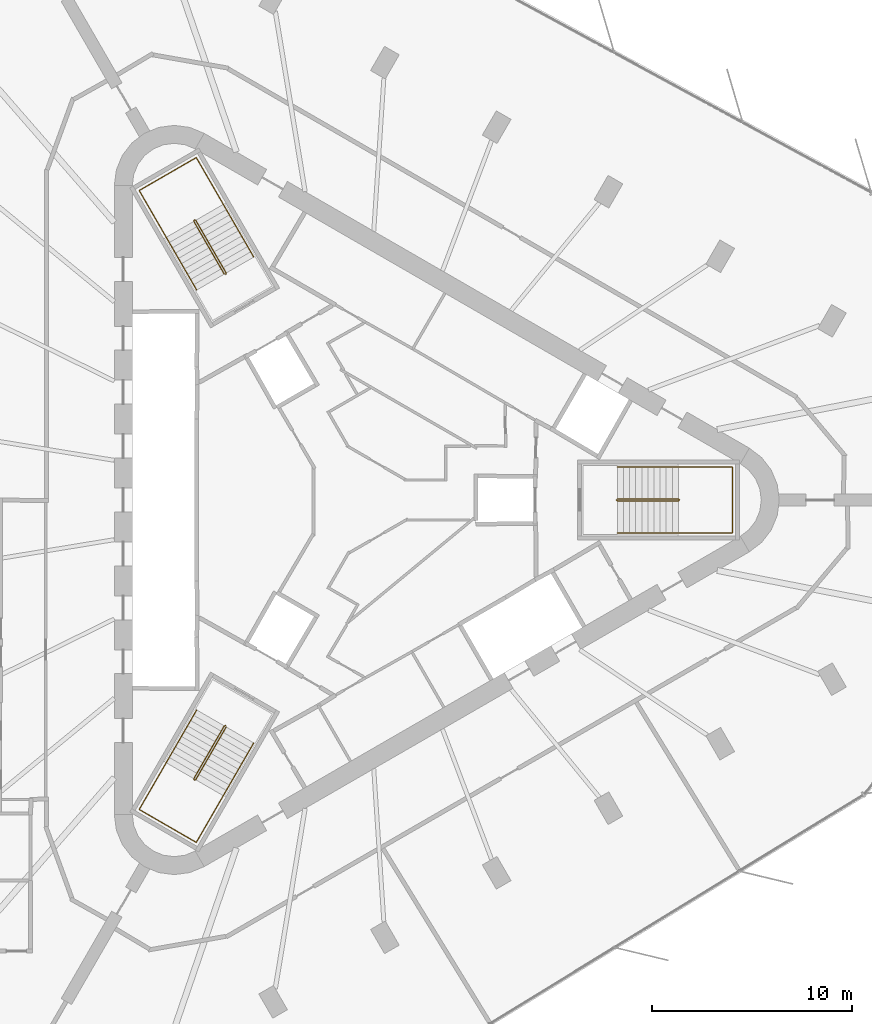
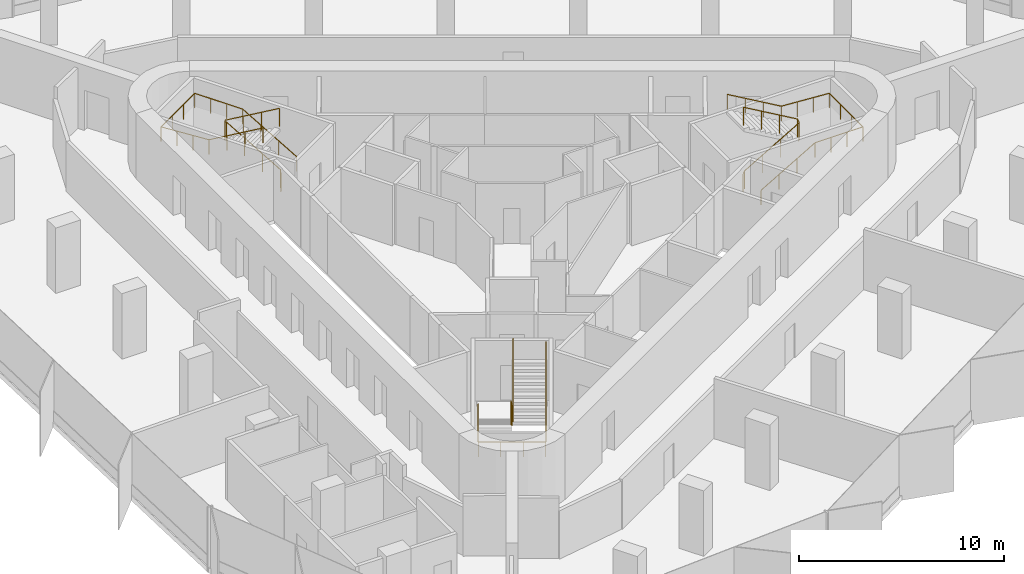
# One storey, part 12 of 12: 6 railings.
"""IFC4 building model written with IfcOpenShell, lengths in metres."""

from ifc_helpers import new_model, si_unit, direction, frame, origin, origin_2d, place, context, subcontext, project, spatial, circle, extrude, material, type_object, element, save


model = new_model("IFC4")

# Units and contexts
model_context = context("Model", 3, precision=1e-05, world=origin(), true_north=direction((0.0, 1.0)))
body_context = subcontext(model_context, "Body", "Model", "MODEL_VIEW")
ifc_project = project(units=[si_unit("LENGTHUNIT", "METRE"), si_unit("AREAUNIT", "SQUARE_METRE"), si_unit("VOLUMEUNIT", "CUBIC_METRE"), si_unit("PLANEANGLEUNIT", "RADIAN"), si_unit("MASSUNIT", "GRAM", prefix="KILO")], contexts=[model_context])

# Site, building, storey
site_placement = place(None, origin())
site = spatial("IfcSite", under=ifc_project, at=site_placement, CompositionType="ELEMENT")
building_placement = place(site_placement, origin())
building = spatial("IfcBuilding", under=site, at=building_placement, Name="Tanit Gate Tower", CompositionType="ELEMENT")
storey_placement = place(building_placement, frame((0.0, 0.0, 353.300048828125)))
storey = spatial("IfcBuildingStorey", under=building, at=storey_placement, Name="L80", CompositionType="ELEMENT", Elevation=353.300048828125)

# Railings
ifc_material_1 = material(Name="Stainless steel balustrade", Category="steel")
railing_type_1 = type_object("IfcRailingType", Name="INT-STAIR-GUARD", PredefinedType="GUARDRAIL", material=ifc_material_1)
railing_1_placement = place(storey_placement, frame((13.044921875, 0.0048828125, 0.0)))
element("IfcRailing", 1, at=railing_1_placement, inside=storey, type_object=railing_type_1, Name="L80 S1 stair guard 1", PredefinedType="GUARDRAIL", context=body_context, shape_type="SweptSolid", body=[
    extrude(circle(Radius=0.02392578125, at=origin_2d()), frame((0.0, 0.0, 1.076171875), z_axis=(0.0, -1.0, 0.0), x_axis=(1.0, 0.0, 0.0)), (0.0, 0.0, 1.0), 0.009765625),
    extrude(circle(Radius=0.02392578125, at=origin_2d()), frame((0.0, -0.009765625, 1.076171875), z_axis=(0.262233686654, -0.262233686654, 0.928691007369), x_axis=(0.707106781187, 0.707106781187, 0.0)), (0.0, 0.0, 1.0), 0.19091796875),
    extrude(circle(Radius=0.02392578125, at=origin_2d()), frame((0.050048828125, -0.059814453125, 1.25341796875), z_axis=(0.864648382064, 0.0, 0.502377522779), x_axis=(0.0, 1.0, 0.0)), (0.0, 0.0, 1.0), 3.528564453125),
    extrude(circle(Radius=0.02392578125, at=origin_2d()), frame((3.10107421875, -0.059814453125, 3.02587890625), z_axis=(0.707106781187, 0.707106781187, 0.0), x_axis=(-0.707106781187, 0.707106781187, 0.0)), (0.0, 0.0, 1.0), 0.07080078125),
    extrude(circle(Radius=0.02392578125, at=origin_2d()), frame((3.151123046875, -0.009765625, 3.02587890625), z_axis=(0.0, 1.0, 0.0), x_axis=(-1.0, 0.0, 0.0)), (0.0, 0.0, 1.0), 0.009765625),
    extrude(circle(Radius=0.02392578125, at=origin_2d()), frame((3.151123046875, 0.0, 3.02587890625), z_axis=(-0.262233686654, 0.262233686654, 0.928691007369), x_axis=(-0.707106781187, -0.707106781187, 0.0)), (0.0, 0.0, 1.0), 0.19091796875),
    extrude(circle(Radius=0.02392578125, at=origin_2d()), frame((3.10107421875, 0.050048828125, 3.203125), z_axis=(-0.864648382064, 0.0, 0.502377522779), x_axis=(0.0, -1.0, 0.0)), (0.0, 0.0, 1.0), 3.528564453125),
    extrude(circle(Radius=0.02099609375, at=origin_2d()), origin(), (0.0, 0.0, 1.0), 1.052001953125),
    extrude(circle(Radius=0.02099609375, at=origin_2d()), frame((0.0, -0.009765625, 0.0)), (0.0, 0.0, 1.0), 1.052001953125),
    extrude(circle(Radius=0.02099609375, at=origin_2d()), frame((0.050048828125, -0.059814453125, 0.17724609375)), (0.0, 0.0, 1.0), 1.052001953125),
    extrude(circle(Radius=0.02099609375, at=origin_2d()), frame((1.067138671875, -0.059814453125, 0.76806640625)), (0.0, 0.0, 1.0), 1.052001953125),
    extrude(circle(Radius=0.02099609375, at=origin_2d()), frame((2.083984375, -0.059814453125, 1.359130859375)), (0.0, 0.0, 1.0), 1.052001953125),
    extrude(circle(Radius=0.02099609375, at=origin_2d()), frame((3.10107421875, -0.059814453125, 1.949951171875)), (0.0, 0.0, 1.0), 1.052001953125),
    extrude(circle(Radius=0.02099609375, at=origin_2d()), frame((3.151123046875, -0.009765625, 1.949951171875)), (0.0, 0.0, 1.0), 1.052001953125),
    extrude(circle(Radius=0.02099609375, at=origin_2d()), frame((3.151123046875, 0.0, 1.949951171875)), (0.0, 0.0, 1.0), 1.052001953125),
    extrude(circle(Radius=0.02099609375, at=origin_2d()), frame((3.10107421875, 0.050048828125, 2.127197265625)), (0.0, 0.0, 1.0), 1.052001953125),
    extrude(circle(Radius=0.02099609375, at=origin_2d()), frame((2.083984375, 0.050048828125, 2.718017578125)), (0.0, 0.0, 1.0), 1.052001953125),
    extrude(circle(Radius=0.02099609375, at=origin_2d()), frame((1.067138671875, 0.050048828125, 3.30908203125)), (0.0, 0.0, 1.0), 1.052001953125),
    extrude(circle(Radius=0.02099609375, at=origin_2d()), frame((0.050048828125, 0.050048828125, 3.89990234375)), (0.0, 0.0, 1.0), 1.052001953125),
])
railing_2_placement = place(storey_placement, frame((-6.527099609375, 11.29345703125, 0.0)))
element("IfcRailing", 2, at=railing_2_placement, inside=storey, type_object=railing_type_1, Name="L80 S2 stair guard 1", PredefinedType="GUARDRAIL", context=body_context, shape_type="SweptSolid", body=[
    extrude(circle(Radius=0.02392578125, at=origin_2d()), frame((0.0, 0.0, 1.076171875), z_axis=(0.868243142124, 0.496138938357, 0.0), x_axis=(-0.496138938357, 0.868243142124, 0.0)), (0.0, 0.0, 1.0), 0.01171875),
    extrude(circle(Radius=0.02392578125, at=origin_2d()), frame((0.01025390625, 0.005859375, 1.076171875), z_axis=(0.095941116058, 0.358180166617, 0.928710003441), x_axis=(-0.965948051503, 0.258736085224, 0.0)), (0.0, 0.0, 1.0), 0.19091796875),
    extrude(circle(Radius=0.02392578125, at=origin_2d()), frame((0.028564453125, 0.07421875, 1.25341796875), z_axis=(-0.4322777601, 0.748681545756, 0.50260509465), x_axis=(-0.866012246495, -0.500022788402, 0.0)), (0.0, 0.0, 1.0), 3.527099609375),
    extrude(circle(Radius=0.02392578125, at=origin_2d()), frame((-1.49609375, 2.71484375, 3.02587890625), z_axis=(-0.965715946433, 0.259601060869, 0.0), x_axis=(-0.259601060869, -0.965715946433, 0.0)), (0.0, 0.0, 1.0), 0.070556640625),
    extrude(circle(Radius=0.02392578125, at=origin_2d()), frame((-1.564208984375, 2.733154296875, 3.02587890625), z_axis=(-0.873197702015, -0.487366159264, 0.0), x_axis=(0.487366159264, -0.873197702015, 0.0)), (0.0, 0.0, 1.0), 0.011962890625),
    extrude(circle(Radius=0.02392578125, at=origin_2d()), frame((-1.57470703125, 2.727294921875, 3.02587890625), z_axis=(-0.095941116058, -0.358180166617, 0.928710003441), x_axis=(0.965948051503, -0.258736085224, 0.0)), (0.0, 0.0, 1.0), 0.19091796875),
    extrude(circle(Radius=0.02392578125, at=origin_2d()), frame((-1.593017578125, 2.658935546875, 3.203125), z_axis=(0.4322777601, -0.748681545756, 0.50260509465), x_axis=(0.866012246495, 0.500022788402, 0.0)), (0.0, 0.0, 1.0), 3.527099609375),
    extrude(circle(Radius=0.02099609375, at=origin_2d()), origin(), (0.0, 0.0, 1.0), 1.052001953125),
    extrude(circle(Radius=0.02099609375, at=origin_2d()), frame((0.01025390625, 0.005859375, 0.0)), (0.0, 0.0, 1.0), 1.052001953125),
    extrude(circle(Radius=0.02099609375, at=origin_2d()), frame((0.028564453125, 0.07421875, 0.17724609375)), (0.0, 0.0, 1.0), 1.052001953125),
    extrude(circle(Radius=0.02099609375, at=origin_2d()), frame((-0.479736328125, 0.954345703125, 0.76806640625)), (0.0, 0.0, 1.0), 1.052001953125),
    extrude(circle(Radius=0.02099609375, at=origin_2d()), frame((-0.98779296875, 1.834716796875, 1.359130859375)), (0.0, 0.0, 1.0), 1.052001953125),
    extrude(circle(Radius=0.02099609375, at=origin_2d()), frame((-1.49609375, 2.71484375, 1.949951171875)), (0.0, 0.0, 1.0), 1.052001953125),
    extrude(circle(Radius=0.02099609375, at=origin_2d()), frame((-1.564208984375, 2.733154296875, 1.949951171875)), (0.0, 0.0, 1.0), 1.052001953125),
    extrude(circle(Radius=0.02099609375, at=origin_2d()), frame((-1.57470703125, 2.727294921875, 1.949951171875)), (0.0, 0.0, 1.0), 1.052001953125),
    extrude(circle(Radius=0.02099609375, at=origin_2d()), frame((-1.593017578125, 2.658935546875, 2.127197265625)), (0.0, 0.0, 1.0), 1.052001953125),
    extrude(circle(Radius=0.02099609375, at=origin_2d()), frame((-1.084716796875, 1.77880859375, 2.718017578125)), (0.0, 0.0, 1.0), 1.052001953125),
    extrude(circle(Radius=0.02099609375, at=origin_2d()), frame((-0.57666015625, 0.8984375, 3.30908203125)), (0.0, 0.0, 1.0), 1.052001953125),
    extrude(circle(Radius=0.02099609375, at=origin_2d()), frame((-0.068359375, 0.018310546875, 3.89990234375)), (0.0, 0.0, 1.0), 1.052001953125),
])
railing_3_placement = place(storey_placement, frame((-6.51806640625, -11.2998046875, 0.0)))
element("IfcRailing", 3, at=railing_3_placement, inside=storey, type_object=railing_type_1, Name="L80 S3 stair guard 1", PredefinedType="GUARDRAIL", context=body_context, shape_type="SweptSolid", body=[
    extrude(circle(Radius=0.02392578125, at=origin_2d()), frame((0.0, 0.0, 1.076171875), z_axis=(-0.874157276122, 0.485642931179, 0.0), x_axis=(-0.485642931179, -0.874157276122, 0.0)), (0.0, 0.0, 1.0), 0.010009765625),
    extrude(circle(Radius=0.02392578125, at=origin_2d()), frame((-0.0087890625, 0.0048828125, 1.076171875), z_axis=(-0.358223840744, -0.094673443625, 0.928823244215), x_axis=(0.255512919477, -0.966805641264, 0.0)), (0.0, 0.0, 1.0), 0.19091796875),
    extrude(circle(Radius=0.02392578125, at=origin_2d()), frame((-0.0771484375, -0.01318359375, 1.25341796875), z_axis=(-0.432289778901, -0.748827189027, 0.502377734411), x_axis=(0.866048339477, -0.499960272111, 0.0)), (0.0, 0.0, 1.0), 3.528564453125),
    extrude(circle(Radius=0.02392578125, at=origin_2d()), frame((-1.6025390625, -2.655517578125, 3.02587890625), z_axis=(0.258736085224, -0.965948051503, 0.0), x_axis=(0.965948051503, 0.258736085224, 0.0)), (0.0, 0.0, 1.0), 0.07080078125),
    extrude(circle(Radius=0.02392578125, at=origin_2d()), frame((-1.584228515625, -2.723876953125, 3.02587890625), z_axis=(0.868243142124, -0.496138938357, 0.0), x_axis=(0.496138938357, 0.868243142124, 0.0)), (0.0, 0.0, 1.0), 0.009765625),
    extrude(circle(Radius=0.02392578125, at=origin_2d()), frame((-1.57568359375, -2.728759765625, 3.02587890625), z_axis=(0.358180166617, 0.095941116058, 0.928710003441), x_axis=(-0.258736085224, 0.965948051503, 0.0)), (0.0, 0.0, 1.0), 0.19091796875),
    extrude(circle(Radius=0.02392578125, at=origin_2d()), frame((-1.50732421875, -2.71044921875, 3.203125), z_axis=(0.432368434633, 0.748774395838, 0.502388734816), x_axis=(-0.865993683553, 0.500054937028, 0.0)), (0.0, 0.0, 1.0), 3.528564453125),
    extrude(circle(Radius=0.02099609375, at=origin_2d()), origin(), (0.0, 0.0, 1.0), 1.052001953125),
    extrude(circle(Radius=0.02099609375, at=origin_2d()), frame((-0.0087890625, 0.0048828125, 0.0)), (0.0, 0.0, 1.0), 1.052001953125),
    extrude(circle(Radius=0.02099609375, at=origin_2d()), frame((-0.0771484375, -0.01318359375, 0.17724609375)), (0.0, 0.0, 1.0), 1.052001953125),
    extrude(circle(Radius=0.02099609375, at=origin_2d()), frame((-0.585693359375, -0.89404296875, 0.76806640625)), (0.0, 0.0, 1.0), 1.052001953125),
    extrude(circle(Radius=0.02099609375, at=origin_2d()), frame((-1.093994140625, -1.774658203125, 1.359130859375)), (0.0, 0.0, 1.0), 1.052001953125),
    extrude(circle(Radius=0.02099609375, at=origin_2d()), frame((-1.6025390625, -2.655517578125, 1.949951171875)), (0.0, 0.0, 1.0), 1.052001953125),
    extrude(circle(Radius=0.02099609375, at=origin_2d()), frame((-1.584228515625, -2.723876953125, 1.949951171875)), (0.0, 0.0, 1.0), 1.052001953125),
    extrude(circle(Radius=0.02099609375, at=origin_2d()), frame((-1.57568359375, -2.728759765625, 1.949951171875)), (0.0, 0.0, 1.0), 1.052001953125),
    extrude(circle(Radius=0.02099609375, at=origin_2d()), frame((-1.50732421875, -2.71044921875, 2.127197265625)), (0.0, 0.0, 1.0), 1.052001953125),
    extrude(circle(Radius=0.02099609375, at=origin_2d()), frame((-0.998779296875, -1.829833984375, 2.718017578125)), (0.0, 0.0, 1.0), 1.052001953125),
    extrude(circle(Radius=0.02099609375, at=origin_2d()), frame((-0.490234375, -0.948974609375, 3.30908203125)), (0.0, 0.0, 1.0), 1.052001953125),
    extrude(circle(Radius=0.02099609375, at=origin_2d()), frame((0.018310546875, -0.068359375, 3.89990234375)), (0.0, 0.0, 1.0), 1.052001953125),
])
ifc_material_2 = material(Name="Stainless steel handrail", Category="steel")
railing_type_2 = type_object("IfcRailingType", Name="INT-STAIR-HANDRAIL", PredefinedType="HANDRAIL", material=ifc_material_2)
railing_4_placement = place(storey_placement, frame((13.094970703125, -1.64990234375, 0.17724609375)))
element("IfcRailing", 4, at=railing_4_placement, inside=storey, type_object=railing_type_2, Name="L80 S1 stair handrail 1", PredefinedType="HANDRAIL", context=body_context, shape_type="SweptSolid", body=[
    extrude(circle(Radius=0.02392578125, at=origin_2d()), frame((0.0, 0.0, 0.8759765625), z_axis=(0.864648382064, 0.0, 0.502377522779), x_axis=(0.0, 1.0, 0.0)), (0.0, 0.0, 1.0), 3.528564453125),
    extrude(circle(Radius=0.02392578125, at=origin_2d()), frame((3.051025390625, 0.0, 2.6484375), z_axis=(1.0, 0.0, 0.0), x_axis=(0.0, 1.0, 0.0)), (0.0, 0.0, 1.0), 2.7041015625),
    extrude(circle(Radius=0.02392578125, at=origin_2d()), frame((5.755126953125, 0.0, 2.6484375), z_axis=(0.0, 1.0, 0.0), x_axis=(-1.0, 0.0, 0.0)), (0.0, 0.0, 1.0), 3.2998046875),
    extrude(circle(Radius=0.02392578125, at=origin_2d()), frame((5.755126953125, 3.2998046875, 2.6484375), z_axis=(-0.997858684482, 0.0, 0.065406771843), x_axis=(0.0, -1.0, 0.0)), (0.0, 0.0, 1.0), 2.7099609375),
    extrude(circle(Radius=0.02392578125, at=origin_2d()), frame((3.051025390625, 3.2998046875, 2.82568359375), z_axis=(-0.864648382064, 0.0, 0.502377522779), x_axis=(0.0, -1.0, 0.0)), (0.0, 0.0, 1.0), 3.528564453125),
    extrude(circle(Radius=0.02099609375, at=origin_2d()), origin(), (0.0, 0.0, 1.0), 0.851806640625),
    extrude(circle(Radius=0.02099609375, at=origin_2d()), frame((1.01708984375, 0.0, 0.5908203125)), (0.0, 0.0, 1.0), 0.851806640625),
    extrude(circle(Radius=0.02099609375, at=origin_2d()), frame((2.033935546875, 0.0, 1.181884765625)), (0.0, 0.0, 1.0), 0.851806640625),
    extrude(circle(Radius=0.02099609375, at=origin_2d()), frame((3.051025390625, 0.0, 1.772705078125)), (0.0, 0.0, 1.0), 0.851806640625),
    extrude(circle(Radius=0.02099609375, at=origin_2d()), frame((3.952392578125, 0.0, 1.772705078125)), (0.0, 0.0, 1.0), 0.851806640625),
    extrude(circle(Radius=0.02099609375, at=origin_2d()), frame((4.853759765625, 0.0, 1.772705078125)), (0.0, 0.0, 1.0), 0.851806640625),
    extrude(circle(Radius=0.02099609375, at=origin_2d()), frame((5.755126953125, 0.0, 1.772705078125)), (0.0, 0.0, 1.0), 0.851806640625),
    extrude(circle(Radius=0.02099609375, at=origin_2d()), frame((5.755126953125, 1.099853515625, 1.772705078125)), (0.0, 0.0, 1.0), 0.851806640625),
    extrude(circle(Radius=0.02099609375, at=origin_2d()), frame((5.755126953125, 2.199951171875, 1.772705078125)), (0.0, 0.0, 1.0), 0.851806640625),
    extrude(circle(Radius=0.02099609375, at=origin_2d()), frame((5.755126953125, 3.2998046875, 1.772705078125)), (0.0, 0.0, 1.0), 0.851806640625),
    extrude(circle(Radius=0.02099609375, at=origin_2d()), frame((4.853759765625, 3.2998046875, 1.831787109375)), (0.0, 0.0, 1.0), 0.851806640625),
    extrude(circle(Radius=0.02099609375, at=origin_2d()), frame((3.952392578125, 3.2998046875, 1.890869140625)), (0.0, 0.0, 1.0), 0.851806640625),
    extrude(circle(Radius=0.02099609375, at=origin_2d()), frame((3.051025390625, 3.2998046875, 1.949951171875)), (0.0, 0.0, 1.0), 0.851806640625),
    extrude(circle(Radius=0.02099609375, at=origin_2d()), frame((2.033935546875, 3.2998046875, 2.540771484375)), (0.0, 0.0, 1.0), 0.851806640625),
    extrude(circle(Radius=0.02099609375, at=origin_2d()), frame((1.01708984375, 3.2998046875, 3.1318359375)), (0.0, 0.0, 1.0), 0.851806640625),
    extrude(circle(Radius=0.02099609375, at=origin_2d()), frame((0.0, 3.2998046875, 3.72265625)), (0.0, 0.0, 1.0), 0.851806640625),
])
railing_5_placement = place(storey_placement, frame((-5.1181640625, 12.164794921875, 0.17724609375)))
element("IfcRailing", 5, at=railing_5_placement, inside=storey, type_object=railing_type_2, Name="L80 S2 stair handrail 1", PredefinedType="HANDRAIL", context=body_context, shape_type="SweptSolid", body=[
    extrude(circle(Radius=0.02392578125, at=origin_2d()), frame((0.0, 0.0, 0.8759765625), z_axis=(-0.432221472453, 0.748703947157, 0.502620133164), x_axis=(-0.866046917185, -0.499962735845, 0.0)), (0.0, 0.0, 1.0), 3.52685546875),
    extrude(circle(Radius=0.02392578125, at=origin_2d()), frame((-1.5244140625, 2.640625, 2.6484375), z_axis=(-0.500019123664, 0.86601436245, 0.0), x_axis=(-0.86601436245, -0.500019123664, 0.0)), (0.0, 0.0, 1.0), 2.70703125),
    extrude(circle(Radius=0.02392578125, at=origin_2d()), frame((-2.8779296875, 4.98486328125, 2.6484375), z_axis=(-0.866008176907, -0.50002983664, 0.0), x_axis=(0.50002983664, -0.866008176907, 0.0)), (0.0, 0.0, 1.0), 3.300048828125),
    extrude(circle(Radius=0.02392578125, at=origin_2d()), frame((-5.73583984375, 3.334716796875, 2.6484375), z_axis=(0.498989459885, -0.864141018102, 0.065343857842), x_axis=(0.865991810323, 0.500058181068, 0.0)), (0.0, 0.0, 1.0), 2.71240234375),
    extrude(circle(Radius=0.02392578125, at=origin_2d()), frame((-4.38232421875, 0.99072265625, 2.82568359375), z_axis=(0.432255358616, -0.748711963836, 0.502579048665), x_axis=(0.866032263162, 0.499988119021, 0.0)), (0.0, 0.0, 1.0), 3.527099609375),
    extrude(circle(Radius=0.02099609375, at=origin_2d()), origin(), (0.0, 0.0, 1.0), 0.851806640625),
    extrude(circle(Radius=0.02099609375, at=origin_2d()), frame((-0.508056640625, 0.880126953125, 0.5908203125)), (0.0, 0.0, 1.0), 0.851806640625),
    extrude(circle(Radius=0.02099609375, at=origin_2d()), frame((-1.016357421875, 1.760498046875, 1.181884765625)), (0.0, 0.0, 1.0), 0.851806640625),
    extrude(circle(Radius=0.02099609375, at=origin_2d()), frame((-1.5244140625, 2.640625, 1.772705078125)), (0.0, 0.0, 1.0), 0.851806640625),
    extrude(circle(Radius=0.02099609375, at=origin_2d()), frame((-1.9755859375, 3.422119140625, 1.772705078125)), (0.0, 0.0, 1.0), 0.851806640625),
    extrude(circle(Radius=0.02099609375, at=origin_2d()), frame((-2.4267578125, 4.203369140625, 1.772705078125)), (0.0, 0.0, 1.0), 0.851806640625),
    extrude(circle(Radius=0.02099609375, at=origin_2d()), frame((-2.8779296875, 4.98486328125, 1.772705078125)), (0.0, 0.0, 1.0), 0.851806640625),
    extrude(circle(Radius=0.02099609375, at=origin_2d()), frame((-3.83056640625, 4.434814453125, 1.772705078125)), (0.0, 0.0, 1.0), 0.851806640625),
    extrude(circle(Radius=0.02099609375, at=origin_2d()), frame((-4.783203125, 3.884765625, 1.772705078125)), (0.0, 0.0, 1.0), 0.851806640625),
    extrude(circle(Radius=0.02099609375, at=origin_2d()), frame((-5.73583984375, 3.334716796875, 1.772705078125)), (0.0, 0.0, 1.0), 0.851806640625),
    extrude(circle(Radius=0.02099609375, at=origin_2d()), frame((-5.28466796875, 2.553466796875, 1.831787109375)), (0.0, 0.0, 1.0), 0.851806640625),
    extrude(circle(Radius=0.02099609375, at=origin_2d()), frame((-4.83349609375, 1.77197265625, 1.890869140625)), (0.0, 0.0, 1.0), 0.851806640625),
    extrude(circle(Radius=0.02099609375, at=origin_2d()), frame((-4.38232421875, 0.99072265625, 1.949951171875)), (0.0, 0.0, 1.0), 0.851806640625),
    extrude(circle(Radius=0.02099609375, at=origin_2d()), frame((-3.8740234375, 0.1103515625, 2.540771484375)), (0.0, 0.0, 1.0), 0.851806640625),
    extrude(circle(Radius=0.02099609375, at=origin_2d()), frame((-3.365966796875, -0.769775390625, 3.1318359375)), (0.0, 0.0, 1.0), 0.851806640625),
    extrude(circle(Radius=0.02099609375, at=origin_2d()), frame((-2.857666015625, -1.650146484375, 3.72265625)), (0.0, 0.0, 1.0), 0.851806640625),
])
railing_6_placement = place(storey_placement, frame((-7.9765625, -10.515625, 0.17724609375)))
element("IfcRailing", 6, at=railing_6_placement, inside=storey, type_object=railing_type_2, Name="L80 S3 stair handrail 1", PredefinedType="HANDRAIL", context=body_context, shape_type="SweptSolid", body=[
    extrude(circle(Radius=0.02392578125, at=origin_2d()), frame((0.0, 0.0, 0.8759765625), z_axis=(-0.432289778901, -0.748827189027, 0.502377734411), x_axis=(0.866048339477, -0.499960272111, 0.0)), (0.0, 0.0, 1.0), 3.528564453125),
    extrude(circle(Radius=0.02392578125, at=origin_2d()), frame((-1.525390625, -2.642333984375, 2.6484375), z_axis=(-0.50004290449, -0.866000631449, 0.0), x_axis=(0.866000631449, -0.50004290449, 0.0)), (0.0, 0.0, 1.0), 2.703857421875),
    extrude(circle(Radius=0.02392578125, at=origin_2d()), frame((-2.87744140625, -4.98388671875, 2.6484375), z_axis=(0.866008176907, -0.50002983664, 0.0), x_axis=(0.50002983664, 0.866008176907, 0.0)), (0.0, 0.0, 1.0), 3.300048828125),
    extrude(circle(Radius=0.02392578125, at=origin_2d()), frame((-0.01953125, -6.634033203125, 2.6484375), z_axis=(0.498933124603, 0.864168748861, 0.065407267689), x_axis=(-0.866023205937, 0.500003806764, 0.0)), (0.0, 0.0, 1.0), 2.7099609375),
    extrude(circle(Radius=0.02392578125, at=origin_2d()), frame((1.33251953125, -4.292236328125, 2.82568359375), z_axis=(0.432289778901, 0.748827189027, 0.502377734411), x_axis=(-0.866048339477, 0.499960272111, 0.0)), (0.0, 0.0, 1.0), 3.528564453125),
    extrude(circle(Radius=0.02099609375, at=origin_2d()), origin(), (0.0, 0.0, 1.0), 0.851806640625),
    extrude(circle(Radius=0.02099609375, at=origin_2d()), frame((-0.508544921875, -0.880859375, 0.5908203125)), (0.0, 0.0, 1.0), 0.851806640625),
    extrude(circle(Radius=0.02099609375, at=origin_2d()), frame((-1.016845703125, -1.761474609375, 1.181884765625)), (0.0, 0.0, 1.0), 0.851806640625),
    extrude(circle(Radius=0.02099609375, at=origin_2d()), frame((-1.525390625, -2.642333984375, 1.772705078125)), (0.0, 0.0, 1.0), 0.851806640625),
    extrude(circle(Radius=0.02099609375, at=origin_2d()), frame((-1.97607421875, -3.4228515625, 1.772705078125)), (0.0, 0.0, 1.0), 0.851806640625),
    extrude(circle(Radius=0.02099609375, at=origin_2d()), frame((-2.4267578125, -4.203369140625, 1.772705078125)), (0.0, 0.0, 1.0), 0.851806640625),
    extrude(circle(Radius=0.02099609375, at=origin_2d()), frame((-2.87744140625, -4.98388671875, 1.772705078125)), (0.0, 0.0, 1.0), 0.851806640625),
    extrude(circle(Radius=0.02099609375, at=origin_2d()), frame((-1.9248046875, -5.533935546875, 1.772705078125)), (0.0, 0.0, 1.0), 0.851806640625),
    extrude(circle(Radius=0.02099609375, at=origin_2d()), frame((-0.97216796875, -6.083984375, 1.772705078125)), (0.0, 0.0, 1.0), 0.851806640625),
    extrude(circle(Radius=0.02099609375, at=origin_2d()), frame((-0.01953125, -6.634033203125, 1.772705078125)), (0.0, 0.0, 1.0), 0.851806640625),
    extrude(circle(Radius=0.02099609375, at=origin_2d()), frame((0.43115234375, -5.853515625, 1.831787109375)), (0.0, 0.0, 1.0), 0.851806640625),
    extrude(circle(Radius=0.02099609375, at=origin_2d()), frame((0.8818359375, -5.07275390625, 1.890869140625)), (0.0, 0.0, 1.0), 0.851806640625),
    extrude(circle(Radius=0.02099609375, at=origin_2d()), frame((1.33251953125, -4.292236328125, 1.949951171875)), (0.0, 0.0, 1.0), 0.851806640625),
    extrude(circle(Radius=0.02099609375, at=origin_2d()), frame((1.841064453125, -3.411376953125, 2.540771484375)), (0.0, 0.0, 1.0), 0.851806640625),
    extrude(circle(Radius=0.02099609375, at=origin_2d()), frame((2.349365234375, -2.53076171875, 3.1318359375)), (0.0, 0.0, 1.0), 0.851806640625),
    extrude(circle(Radius=0.02099609375, at=origin_2d()), frame((2.85791015625, -1.64990234375, 3.72265625)), (0.0, 0.0, 1.0), 0.851806640625),
])

save(model, "model.ifc")
